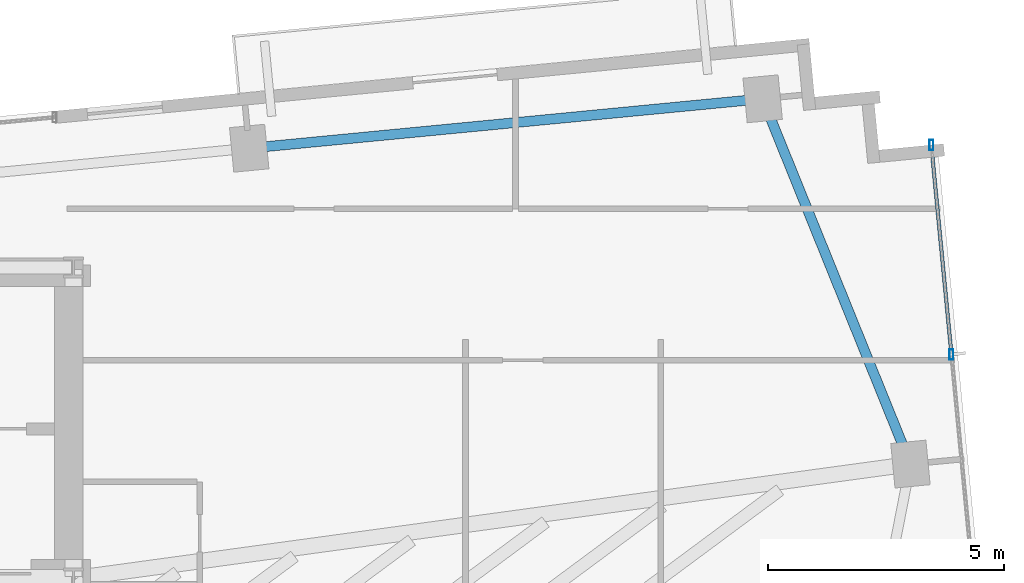
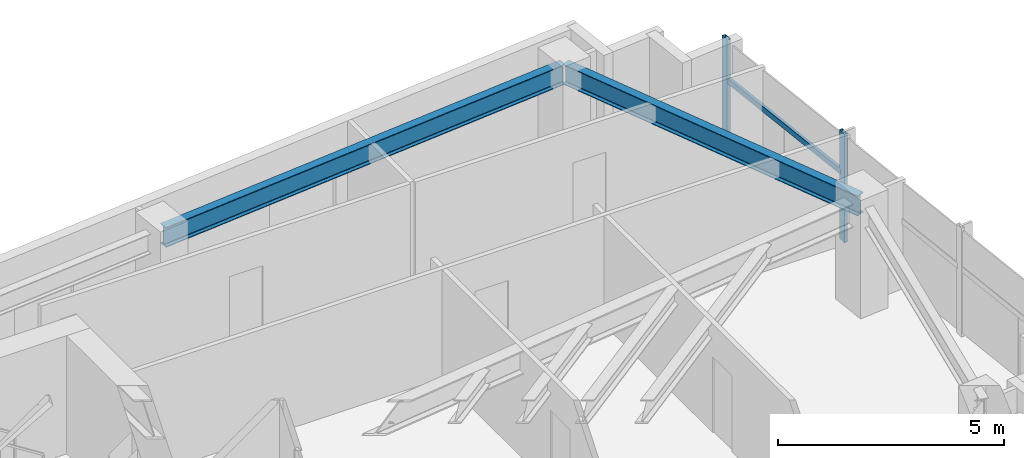
# One storey, part 11 of 18: 3 members, 2 beams, 1 element without a shape of its own.
"""IFC4 building model written with IfcOpenShell, lengths in metres."""

from ifc_helpers import new_model, si_unit, direction, frame, origin, origin_2d, place, context, subcontext, project, spatial, hollow_rectangle, i_section, extrude, source, transform, mapped, material, material_profile, profile_set, type_object, type_shapes, element, aggregate, save


model = new_model("IFC4")

# Units and contexts
model_context = context("Model", 3, precision=1e-05, world=origin(), true_north=direction((0.0, 1.0)))
body_context = subcontext(model_context, "Body", "Model", "MODEL_VIEW")
ifc_project = project(units=[si_unit("LENGTHUNIT", "METRE"), si_unit("AREAUNIT", "SQUARE_METRE"), si_unit("VOLUMEUNIT", "CUBIC_METRE"), si_unit("PLANEANGLEUNIT", "RADIAN"), si_unit("MASSUNIT", "GRAM", prefix="KILO")], contexts=[model_context])

# Site, building, storey
site_placement = place(None, origin())
site = spatial("IfcSite", under=ifc_project, at=site_placement, CompositionType="ELEMENT")
building_placement = place(site_placement, origin())
building = spatial("IfcBuilding", under=site, at=building_placement, Name="Astriad Promenade Condominiums", CompositionType="ELEMENT")
storey_placement = place(building_placement, frame((0.0, 0.0, 182.60009765625)))
storey = spatial("IfcBuildingStorey", under=building, at=storey_placement, Name="L52", CompositionType="ELEMENT", Elevation=182.60009765625)

# Beams
ifc_material_1 = material(Name="Steel ASTM A992 Grade 50", Category="steel")
ifc_material_profile_1 = material_profile(ifc_material_1, i_section(OverallWidth=0.210693359375, OverallDepth=0.53955078125, WebThickness=0.01171875, FlangeThickness=0.018798828125, FilletRadius=0.0166015625, at=origin_2d()), Name="W21X73")
ifc_profile_set_1 = profile_set([ifc_material_profile_1], Name="Steel ASTM A992 Grade 50")
beam_type = type_object("IfcBeamType", Name="STEEL SPANDREL BEAM W21X73", PredefinedType="SPANDREL", material=ifc_profile_set_1)
shared_shape_1 = source(origin(), body_context, "Body", "SweptSolid", [
    extrude(i_section(OverallWidth=0.210693359375, OverallDepth=0.53955078125, WebThickness=0.01171875, FlangeThickness=0.018798828125, FilletRadius=0.0166015625, at=origin_2d()), origin(), (0.0, 0.0, 1.0), 10.8701171875),
])
beam_1_placement = place(storey_placement, frame((60.190673828125, 27.578369140625, 2.670166015625), z_axis=(-0.995394986184, -0.09585834069, 0.0), x_axis=(0.09585834069, -0.995394986184, 0.0)))
element("IfcBeam", 1, at=beam_1_placement, inside=storey, type_object=beam_type, Name="Perimeter Spandrel Beam SP-N4-L52", PredefinedType="SPANDREL", context=body_context, shape_type="MappedRepresentation", body=[
    mapped(shared_shape_1, transform((0.0, 0.0, 0.0), scale=1.0)),
])
shared_shape_2 = source(origin(), body_context, "Body", "SweptSolid", [
    extrude(i_section(OverallWidth=0.210693359375, OverallDepth=0.53955078125, WebThickness=0.01171875, FlangeThickness=0.018798828125, FilletRadius=0.0166015625, at=origin_2d()), origin(), (0.0, 0.0, 1.0), 8.28564453125),
])
type_shapes(beam_type, [shared_shape_1, shared_shape_2])
beam_2_placement = place(storey_placement, frame((63.353271484375, 19.8642578125, 2.670166015625), z_axis=(-0.375070987134, 0.926996092014, 0.0), x_axis=(-0.926996092014, -0.375070987134, 0.0)))
element("IfcBeam", 2, at=beam_2_placement, inside=storey, type_object=beam_type, Name="Perimeter Spandrel Beam SP-E2-L52", PredefinedType="SPANDREL", context=body_context, shape_type="MappedRepresentation", body=[
    mapped(shared_shape_2, transform((0.0, 0.0, 0.0), scale=1.0)),
])

# Curtain wall, members
ifc_material_2 = material(Name="Anodised aluminium Black Dark Glass Unitised", Category="aluminium")
curtain_wall_type = type_object("IfcCurtainWallType", Name="CW-B34-DARK", PredefinedType="USERDEFINED", material=ifc_material_2)
curtain_wall_placement = place(storey_placement, origin())
curtain_wall = element("IfcCurtainWall", 3, at=curtain_wall_placement, inside=storey, type_object=curtain_wall_type, Name="CW-L52-E", ObjectType="UNITISED_CURTAIN_WALL", PredefinedType="USERDEFINED")
ifc_material_3 = material(Name="Anodised aluminium 6063-T6 Black", Category="aluminium")
ifc_material_profile_2 = material_profile(ifc_material_3, hollow_rectangle(XDim=0.0849609375, YDim=0.219970703125, WallThickness=0.0048828125, at=origin_2d()), Name="ALU-MUL-85X220")
ifc_profile_set_2 = profile_set([ifc_material_profile_2], Name="Anodised aluminium 6063-T6 Black")
member_type_1 = type_object("IfcMemberType", Name="MUL-ALU-MUL-85X220", PredefinedType="MULLION", material=ifc_profile_set_2)
shared_shape_3 = source(origin(), body_context, "Body", "SweptSolid", [
    extrude(hollow_rectangle(XDim=0.0849609375, YDim=0.219970703125, WallThickness=0.0048828125, at=origin_2d()), origin(), (0.0, 0.0, 1.0), 2.93994140625),
])
type_shapes(member_type_1, [shared_shape_3])
member_1_placement = place(storey_placement, frame((63.81103515625, 26.6005859375, 0.0), z_axis=(0.0, 0.0, 1.0), x_axis=(1.0, 0.0, 0.0)))
member_1 = element("IfcMember", 4, at=member_1_placement, type_object=member_type_1, Name="CW-L52-E-MUL-00", PredefinedType="MULLION", context=body_context, shape_type="MappedRepresentation", body=[
    mapped(shared_shape_3, transform((0.0, 0.0, 0.0), scale=1.0)),
])
member_2_placement = place(storey_placement, frame((64.239013671875, 22.154541015625, 0.0), z_axis=(0.0, 0.0, 1.0), x_axis=(1.0, 0.0, 0.0)))
member_2 = element("IfcMember", 5, at=member_2_placement, type_object=member_type_1, Name="CW-L52-E-MUL-01", PredefinedType="MULLION", context=body_context, shape_type="MappedRepresentation", body=[
    mapped(shared_shape_3, transform((0.0, 0.0, 0.0), scale=1.0)),
])
ifc_material_profile_3 = material_profile(ifc_material_3, hollow_rectangle(XDim=0.074951171875, YDim=0.14990234375, WallThickness=0.004150390625, at=origin_2d()), Name="ALU-TRN-75X150")
ifc_profile_set_3 = profile_set([ifc_material_profile_3], Name="Anodised aluminium 6063-T6 Black")
member_type_2 = type_object("IfcMemberType", Name="TRN-ALU-TRN-75X150", PredefinedType="USERDEFINED", material=ifc_profile_set_3)
shared_shape_4 = source(origin(), body_context, "Body", "SweptSolid", [
    extrude(hollow_rectangle(XDim=0.074951171875, YDim=0.14990234375, WallThickness=0.004150390625, at=origin_2d()), origin(), (0.0, 0.0, 1.0), 4.466552734375),
])
type_shapes(member_type_2, [shared_shape_4])
member_3_placement = place(storey_placement, frame((63.81103515625, 26.6005859375, 1.82275390625), z_axis=(0.095817598554, -0.995398908884, 0.0), x_axis=(0.995398908884, 0.095817598554, 0.0)))
member_3 = element("IfcMember", 6, at=member_3_placement, type_object=member_type_2, Name="CW-L52-E-TRN-00-0", ObjectType="TRANSOM", PredefinedType="USERDEFINED", context=body_context, shape_type="MappedRepresentation", body=[
    mapped(shared_shape_4, transform((0.0, 0.0, 0.0), scale=1.0)),
])
aggregate(curtain_wall, [member_1, member_2, member_3])

save(model, "model.ifc")
